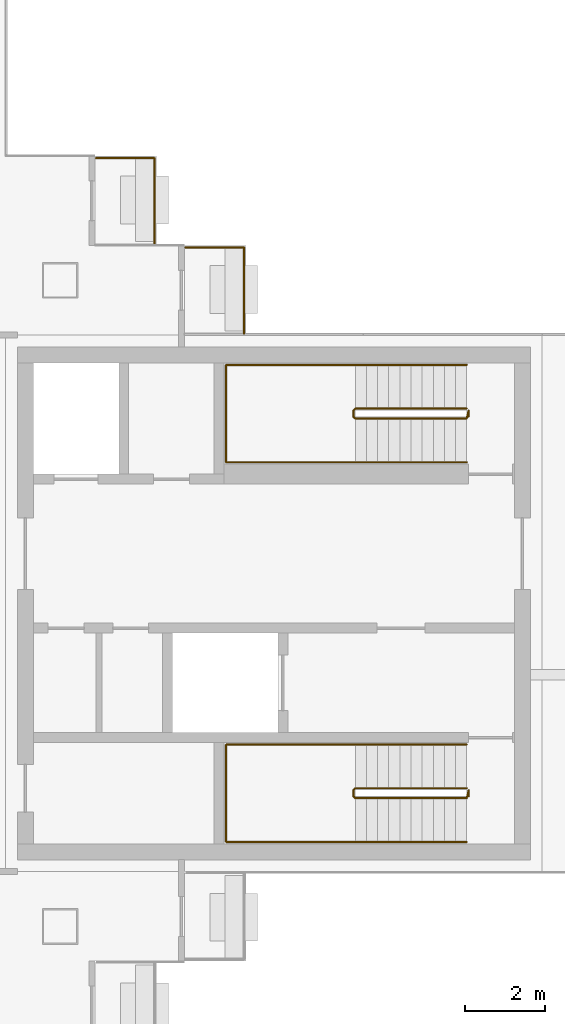
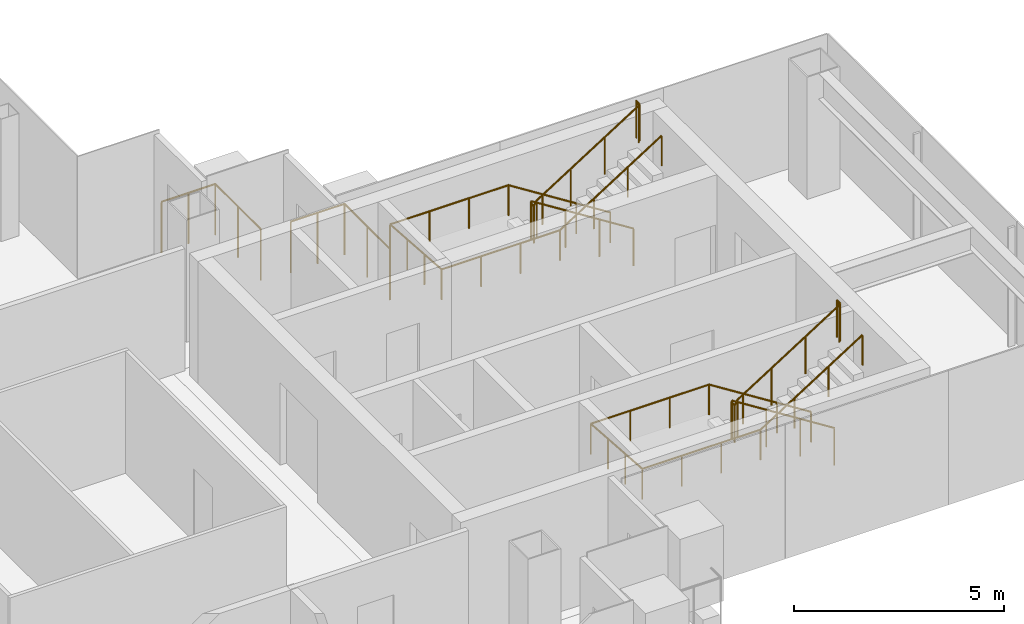
# One storey, part 15 of 16: 6 railings.
"""IFC4 building model written with IfcOpenShell, lengths in metres."""

from ifc_helpers import new_model, si_unit, direction, frame, origin, origin_2d, place, context, subcontext, project, spatial, circle, extrude, material, type_object, element, save


model = new_model("IFC4")

# Units and contexts
model_context = context("Model", 3, precision=1e-05, world=origin(), true_north=direction((0.0, 1.0)))
body_context = subcontext(model_context, "Body", "Model", "MODEL_VIEW")
ifc_project = project(units=[si_unit("LENGTHUNIT", "METRE"), si_unit("AREAUNIT", "SQUARE_METRE"), si_unit("VOLUMEUNIT", "CUBIC_METRE"), si_unit("PLANEANGLEUNIT", "RADIAN"), si_unit("MASSUNIT", "GRAM", prefix="KILO")], contexts=[model_context])

# Site, building, storey
site_placement = place(None, origin())
site = spatial("IfcSite", under=ifc_project, at=site_placement, CompositionType="ELEMENT")
building_placement = place(site_placement, origin())
building = spatial("IfcBuilding", under=site, at=building_placement, Name="Shamsa Quay Exchange Towers", CompositionType="ELEMENT")
storey_placement = place(building_placement, frame((0.0, 0.0, 246.0)))
storey = spatial("IfcBuildingStorey", under=building, at=storey_placement, Name="L59", CompositionType="ELEMENT", Elevation=246.0)

# Railings
ifc_material_1 = material(Name="Steel S355, black powder-coated", Category="steel")
railing_type_1 = type_object("IfcRailingType", Name="BALCONY GUARD 1500", PredefinedType="GUARDRAIL", material=ifc_material_1)
for number, where, name in (
    (1, (44.25, 9.0380859375, 0.0), "Balcony guard T2-PKES L59"),
    (2, (46.5, 6.7880859375, 0.0), "Balcony guard T2-PKES L59"),
):
    element("IfcRailing", number, at=place(storey_placement, frame(where)), inside=storey, type_object=railing_type_1, Name=name, PredefinedType="GUARDRAIL", context=body_context, shape_type="SweptSolid", body=[
        extrude(circle(Radius=0.02392578125, at=origin_2d()), frame((0.0, 0.0, 1.47607421875), z_axis=(0.0, 1.0, 0.0), x_axis=(-1.0, 0.0, 0.0)), (0.0, 0.0, 1.0), 2.161865234375),
        extrude(circle(Radius=0.02392578125, at=origin_2d()), frame((0.0, 2.161865234375, 1.47607421875), z_axis=(-1.0, 0.0, 0.0), x_axis=(0.0, -1.0, 0.0)), (0.0, 0.0, 1.0), 1.47900390625),
        extrude(circle(Radius=0.02099609375, at=origin_2d()), origin(), (0.0, 0.0, 1.0), 1.451904296875),
        extrude(circle(Radius=0.02099609375, at=origin_2d()), frame((0.0, 1.0810546875, 0.0)), (0.0, 0.0, 1.0), 1.451904296875),
        extrude(circle(Radius=0.02099609375, at=origin_2d()), frame((0.0, 2.161865234375, 0.0)), (0.0, 0.0, 1.0), 1.451904296875),
        extrude(circle(Radius=0.02099609375, at=origin_2d()), frame((-0.739501953125, 2.161865234375, 0.0)), (0.0, 0.0, 1.0), 1.451904296875),
        extrude(circle(Radius=0.02099609375, at=origin_2d()), frame((-1.47900390625, 2.161865234375, 0.0)), (0.0, 0.0, 1.0), 1.451904296875),
    ])
ifc_material_2 = material(Name="Stainless steel", Category="steel")
railing_type_2 = type_object("IfcRailingType", Name="STAIR GUARD 1100", PredefinedType="GUARDRAIL", material=ifc_material_2)
railing_1_placement = place(storey_placement, frame((52.10009765625, -4.64990234375, 0.17724609375)))
element("IfcRailing", 3, at=railing_1_placement, inside=storey, type_object=railing_type_2, Name="L59 ST5 stair guard 1", PredefinedType="GUARDRAIL", context=body_context, shape_type="SweptSolid", body=[
    extrude(circle(Radius=0.02392578125, at=origin_2d()), frame((0.0, 0.0, 1.076171875), z_axis=(-0.844908973607, 0.0, 0.534910110503), x_axis=(0.0, -1.0, 0.0)), (0.0, 0.0, 1.0), 3.31396484375),
    extrude(circle(Radius=0.02392578125, at=origin_2d()), frame((-2.800048828125, 0.0, 2.8486328125), z_axis=(-0.707106781187, -0.707106781187, 0.0), x_axis=(0.707106781187, -0.707106781187, 0.0)), (0.0, 0.0, 1.0), 0.07080078125),
    extrude(circle(Radius=0.02392578125, at=origin_2d()), frame((-2.85009765625, -0.050048828125, 2.8486328125), z_axis=(0.0, -1.0, 0.0), x_axis=(1.0, 0.0, 0.0)), (0.0, 0.0, 1.0), 0.150146484375),
    extrude(circle(Radius=0.02392578125, at=origin_2d()), frame((-2.85009765625, -0.2001953125, 2.8486328125), z_axis=(0.262321481514, -0.261041864531, 0.929001929653), x_axis=(0.705375805398, 0.708833529934, 0.0)), (0.0, 0.0, 1.0), 0.190673828125),
    extrude(circle(Radius=0.02392578125, at=origin_2d()), frame((-2.800048828125, -0.25, 3.02587890625), z_axis=(0.844908973607, 0.0, 0.534910110503), x_axis=(0.0, 1.0, 0.0)), (0.0, 0.0, 1.0), 3.31396484375),
    extrude(circle(Radius=0.02392578125, at=origin_2d()), frame((0.0, -0.25, 4.798828125), z_axis=(0.241699205484, 0.970351222016, 0.0), x_axis=(-0.970351222016, 0.241699205484, 0.0)), (0.0, 0.0, 1.0), 0.2060546875),
    extrude(circle(Radius=0.02392578125, at=origin_2d()), frame((0.0498046875, -0.050048828125, 4.798828125), z_axis=(0.0, -1.0, 0.0), x_axis=(1.0, 0.0, 0.0)), (0.0, 0.0, 1.0), 0.150146484375),
    extrude(circle(Radius=0.02099609375, at=origin_2d()), origin(), (0.0, 0.0, 1.0), 1.052001953125),
    extrude(circle(Radius=0.02099609375, at=origin_2d()), frame((-0.933349609375, 0.0, 0.5908203125)), (0.0, 0.0, 1.0), 1.052001953125),
    extrude(circle(Radius=0.02099609375, at=origin_2d()), frame((-1.86669921875, 0.0, 1.181884765625)), (0.0, 0.0, 1.0), 1.052001953125),
    extrude(circle(Radius=0.02099609375, at=origin_2d()), frame((-2.800048828125, 0.0, 1.772705078125)), (0.0, 0.0, 1.0), 1.052001953125),
    extrude(circle(Radius=0.02099609375, at=origin_2d()), frame((-2.85009765625, -0.050048828125, 1.772705078125)), (0.0, 0.0, 1.0), 1.052001953125),
    extrude(circle(Radius=0.02099609375, at=origin_2d()), frame((-2.85009765625, -0.2001953125, 1.772705078125)), (0.0, 0.0, 1.0), 1.052001953125),
    extrude(circle(Radius=0.02099609375, at=origin_2d()), frame((-2.800048828125, -0.25, 1.949951171875)), (0.0, 0.0, 1.0), 1.052001953125),
    extrude(circle(Radius=0.02099609375, at=origin_2d()), frame((-1.86669921875, -0.25, 2.540771484375)), (0.0, 0.0, 1.0), 1.052001953125),
    extrude(circle(Radius=0.02099609375, at=origin_2d()), frame((-0.933349609375, -0.25, 3.1318359375)), (0.0, 0.0, 1.0), 1.052001953125),
    extrude(circle(Radius=0.02099609375, at=origin_2d()), frame((0.0, -0.25, 3.72265625)), (0.0, 0.0, 1.0), 1.052001953125),
    extrude(circle(Radius=0.02099609375, at=origin_2d()), frame((0.0498046875, -0.050048828125, 3.72265625)), (0.0, 0.0, 1.0), 1.052001953125),
    extrude(circle(Radius=0.02099609375, at=origin_2d()), frame((0.0498046875, -0.2001953125, 3.72265625)), (0.0, 0.0, 1.0), 1.052001953125),
])
railing_2_placement = place(storey_placement, frame((52.10009765625, 4.89990234375, 0.17724609375)))
element("IfcRailing", 4, at=railing_2_placement, inside=storey, type_object=railing_type_2, Name="L59 ST6 stair guard 1", PredefinedType="GUARDRAIL", context=body_context, shape_type="SweptSolid", body=[
    extrude(circle(Radius=0.02392578125, at=origin_2d()), frame((0.0, 0.0, 1.076171875), z_axis=(-0.844908973607, 0.0, 0.534910110503), x_axis=(0.0, -1.0, 0.0)), (0.0, 0.0, 1.0), 3.31396484375),
    extrude(circle(Radius=0.02392578125, at=origin_2d()), frame((-2.800048828125, 0.0, 2.8486328125), z_axis=(-0.708833529934, -0.705375805398, 0.0), x_axis=(0.705375805398, -0.708833529934, 0.0)), (0.0, 0.0, 1.0), 0.070556640625),
    extrude(circle(Radius=0.02392578125, at=origin_2d()), frame((-2.85009765625, -0.0498046875, 2.8486328125), z_axis=(0.0, -1.0, 0.0), x_axis=(1.0, 0.0, 0.0)), (0.0, 0.0, 1.0), 0.150146484375),
    extrude(circle(Radius=0.02392578125, at=origin_2d()), frame((-2.85009765625, -0.199951171875, 2.8486328125), z_axis=(0.262233686654, -0.262233686654, 0.928691007369), x_axis=(0.707106781187, 0.707106781187, 0.0)), (0.0, 0.0, 1.0), 0.19091796875),
    extrude(circle(Radius=0.02392578125, at=origin_2d()), frame((-2.800048828125, -0.25, 3.02587890625), z_axis=(0.844908973607, 0.0, 0.534910110503), x_axis=(0.0, 1.0, 0.0)), (0.0, 0.0, 1.0), 3.31396484375),
    extrude(circle(Radius=0.02392578125, at=origin_2d()), frame((0.0, -0.25, 4.798828125), z_axis=(0.24142163986, 0.970420317083, 0.0), x_axis=(-0.970420317083, 0.24142163986, 0.0)), (0.0, 0.0, 1.0), 0.206298828125),
    extrude(circle(Radius=0.02392578125, at=origin_2d()), frame((0.0498046875, -0.0498046875, 4.798828125), z_axis=(0.0, -1.0, 0.0), x_axis=(1.0, 0.0, 0.0)), (0.0, 0.0, 1.0), 0.150146484375),
    extrude(circle(Radius=0.02099609375, at=origin_2d()), origin(), (0.0, 0.0, 1.0), 1.052001953125),
    extrude(circle(Radius=0.02099609375, at=origin_2d()), frame((-0.933349609375, 0.0, 0.5908203125)), (0.0, 0.0, 1.0), 1.052001953125),
    extrude(circle(Radius=0.02099609375, at=origin_2d()), frame((-1.86669921875, 0.0, 1.181884765625)), (0.0, 0.0, 1.0), 1.052001953125),
    extrude(circle(Radius=0.02099609375, at=origin_2d()), frame((-2.800048828125, 0.0, 1.772705078125)), (0.0, 0.0, 1.0), 1.052001953125),
    extrude(circle(Radius=0.02099609375, at=origin_2d()), frame((-2.85009765625, -0.0498046875, 1.772705078125)), (0.0, 0.0, 1.0), 1.052001953125),
    extrude(circle(Radius=0.02099609375, at=origin_2d()), frame((-2.85009765625, -0.199951171875, 1.772705078125)), (0.0, 0.0, 1.0), 1.052001953125),
    extrude(circle(Radius=0.02099609375, at=origin_2d()), frame((-2.800048828125, -0.25, 1.949951171875)), (0.0, 0.0, 1.0), 1.052001953125),
    extrude(circle(Radius=0.02099609375, at=origin_2d()), frame((-1.86669921875, -0.25, 2.540771484375)), (0.0, 0.0, 1.0), 1.052001953125),
    extrude(circle(Radius=0.02099609375, at=origin_2d()), frame((-0.933349609375, -0.25, 3.1318359375)), (0.0, 0.0, 1.0), 1.052001953125),
    extrude(circle(Radius=0.02099609375, at=origin_2d()), frame((0.0, -0.25, 3.72265625)), (0.0, 0.0, 1.0), 1.052001953125),
    extrude(circle(Radius=0.02099609375, at=origin_2d()), frame((0.0498046875, -0.0498046875, 3.72265625)), (0.0, 0.0, 1.0), 1.052001953125),
    extrude(circle(Radius=0.02099609375, at=origin_2d()), frame((0.0498046875, -0.199951171875, 3.72265625)), (0.0, 0.0, 1.0), 1.052001953125),
])
railing_type_3 = type_object("IfcRailingType", Name="STAIR HANDRAIL 900", PredefinedType="HANDRAIL", material=ifc_material_2)
railing_3_placement = place(storey_placement, frame((52.10009765625, -3.550048828125, 0.17724609375)))
element("IfcRailing", 5, at=railing_3_placement, inside=storey, type_object=railing_type_3, Name="L59 ST5 stair handrail 1", PredefinedType="HANDRAIL", context=body_context, shape_type="SweptSolid", body=[
    extrude(circle(Radius=0.02392578125, at=origin_2d()), frame((0.0, 0.0, 0.8759765625), z_axis=(-0.844908973607, 0.0, 0.534910110503), x_axis=(0.0, -1.0, 0.0)), (0.0, 0.0, 1.0), 3.31396484375),
    extrude(circle(Radius=0.02392578125, at=origin_2d()), frame((-2.800048828125, 0.0, 2.6484375), z_axis=(-1.0, 0.0, 0.0), x_axis=(0.0, -1.0, 0.0)), (0.0, 0.0, 1.0), 3.25),
    extrude(circle(Radius=0.02392578125, at=origin_2d()), frame((-6.050048828125, 0.0, 2.6484375), z_axis=(0.0, -0.997393199914, 0.07215819264), x_axis=(1.0, 0.0, 0.0)), (0.0, 0.0, 1.0), 2.456298828125),
    extrude(circle(Radius=0.02392578125, at=origin_2d()), frame((-6.050048828125, -2.449951171875, 2.82568359375), z_axis=(1.0, 0.0, 0.0), x_axis=(0.0, 1.0, 0.0)), (0.0, 0.0, 1.0), 3.25),
    extrude(circle(Radius=0.02392578125, at=origin_2d()), frame((-2.800048828125, -2.449951171875, 2.82568359375), z_axis=(0.844908973607, 0.0, 0.534910110503), x_axis=(0.0, 1.0, 0.0)), (0.0, 0.0, 1.0), 3.31396484375),
    extrude(circle(Radius=0.02099609375, at=origin_2d()), origin(), (0.0, 0.0, 1.0), 0.851806640625),
    extrude(circle(Radius=0.02099609375, at=origin_2d()), frame((-0.933349609375, 0.0, 0.5908203125)), (0.0, 0.0, 1.0), 0.851806640625),
    extrude(circle(Radius=0.02099609375, at=origin_2d()), frame((-1.86669921875, 0.0, 1.181884765625)), (0.0, 0.0, 1.0), 0.851806640625),
    extrude(circle(Radius=0.02099609375, at=origin_2d()), frame((-2.800048828125, 0.0, 1.772705078125)), (0.0, 0.0, 1.0), 0.851806640625),
    extrude(circle(Radius=0.02099609375, at=origin_2d()), frame((-3.88330078125, 0.0, 1.772705078125)), (0.0, 0.0, 1.0), 0.851806640625),
    extrude(circle(Radius=0.02099609375, at=origin_2d()), frame((-4.966796875, 0.0, 1.772705078125)), (0.0, 0.0, 1.0), 0.851806640625),
    extrude(circle(Radius=0.02099609375, at=origin_2d()), frame((-6.050048828125, 0.0, 1.772705078125)), (0.0, 0.0, 1.0), 0.851806640625),
    extrude(circle(Radius=0.02099609375, at=origin_2d()), frame((-6.050048828125, -0.816650390625, 1.831787109375)), (0.0, 0.0, 1.0), 0.851806640625),
    extrude(circle(Radius=0.02099609375, at=origin_2d()), frame((-6.050048828125, -1.63330078125, 1.890869140625)), (0.0, 0.0, 1.0), 0.851806640625),
    extrude(circle(Radius=0.02099609375, at=origin_2d()), frame((-6.050048828125, -2.449951171875, 1.949951171875)), (0.0, 0.0, 1.0), 0.851806640625),
    extrude(circle(Radius=0.02099609375, at=origin_2d()), frame((-4.966796875, -2.449951171875, 1.949951171875)), (0.0, 0.0, 1.0), 0.851806640625),
    extrude(circle(Radius=0.02099609375, at=origin_2d()), frame((-3.88330078125, -2.449951171875, 1.949951171875)), (0.0, 0.0, 1.0), 0.851806640625),
    extrude(circle(Radius=0.02099609375, at=origin_2d()), frame((-2.800048828125, -2.449951171875, 1.949951171875)), (0.0, 0.0, 1.0), 0.851806640625),
    extrude(circle(Radius=0.02099609375, at=origin_2d()), frame((-1.86669921875, -2.449951171875, 2.540771484375)), (0.0, 0.0, 1.0), 0.851806640625),
    extrude(circle(Radius=0.02099609375, at=origin_2d()), frame((-0.933349609375, -2.449951171875, 3.1318359375)), (0.0, 0.0, 1.0), 0.851806640625),
    extrude(circle(Radius=0.02099609375, at=origin_2d()), frame((0.0, -2.449951171875, 3.72265625)), (0.0, 0.0, 1.0), 0.851806640625),
])
railing_4_placement = place(storey_placement, frame((52.10009765625, 6.0, 0.17724609375)))
element("IfcRailing", 6, at=railing_4_placement, inside=storey, type_object=railing_type_3, Name="L59 ST6 stair handrail 1", PredefinedType="HANDRAIL", context=body_context, shape_type="SweptSolid", body=[
    extrude(circle(Radius=0.02392578125, at=origin_2d()), frame((0.0, 0.0, 0.8759765625), z_axis=(-0.844908973607, 0.0, 0.534910110503), x_axis=(0.0, -1.0, 0.0)), (0.0, 0.0, 1.0), 3.31396484375),
    extrude(circle(Radius=0.02392578125, at=origin_2d()), frame((-2.800048828125, 0.0, 2.6484375), z_axis=(-1.0, 0.0, 0.0), x_axis=(0.0, -1.0, 0.0)), (0.0, 0.0, 1.0), 3.25),
    extrude(circle(Radius=0.02392578125, at=origin_2d()), frame((-6.050048828125, 0.0, 2.6484375), z_axis=(0.0, -0.997393199914, 0.07215819264), x_axis=(1.0, 0.0, 0.0)), (0.0, 0.0, 1.0), 2.456298828125),
    extrude(circle(Radius=0.02392578125, at=origin_2d()), frame((-6.050048828125, -2.449951171875, 2.82568359375), z_axis=(1.0, 0.0, 0.0), x_axis=(0.0, 1.0, 0.0)), (0.0, 0.0, 1.0), 3.25),
    extrude(circle(Radius=0.02392578125, at=origin_2d()), frame((-2.800048828125, -2.449951171875, 2.82568359375), z_axis=(0.844908973607, 0.0, 0.534910110503), x_axis=(0.0, 1.0, 0.0)), (0.0, 0.0, 1.0), 3.31396484375),
    extrude(circle(Radius=0.02099609375, at=origin_2d()), origin(), (0.0, 0.0, 1.0), 0.851806640625),
    extrude(circle(Radius=0.02099609375, at=origin_2d()), frame((-0.933349609375, 0.0, 0.5908203125)), (0.0, 0.0, 1.0), 0.851806640625),
    extrude(circle(Radius=0.02099609375, at=origin_2d()), frame((-1.86669921875, 0.0, 1.181884765625)), (0.0, 0.0, 1.0), 0.851806640625),
    extrude(circle(Radius=0.02099609375, at=origin_2d()), frame((-2.800048828125, 0.0, 1.772705078125)), (0.0, 0.0, 1.0), 0.851806640625),
    extrude(circle(Radius=0.02099609375, at=origin_2d()), frame((-3.88330078125, 0.0, 1.772705078125)), (0.0, 0.0, 1.0), 0.851806640625),
    extrude(circle(Radius=0.02099609375, at=origin_2d()), frame((-4.966796875, 0.0, 1.772705078125)), (0.0, 0.0, 1.0), 0.851806640625),
    extrude(circle(Radius=0.02099609375, at=origin_2d()), frame((-6.050048828125, 0.0, 1.772705078125)), (0.0, 0.0, 1.0), 0.851806640625),
    extrude(circle(Radius=0.02099609375, at=origin_2d()), frame((-6.050048828125, -0.816650390625, 1.831787109375)), (0.0, 0.0, 1.0), 0.851806640625),
    extrude(circle(Radius=0.02099609375, at=origin_2d()), frame((-6.050048828125, -1.63330078125, 1.890869140625)), (0.0, 0.0, 1.0), 0.851806640625),
    extrude(circle(Radius=0.02099609375, at=origin_2d()), frame((-6.050048828125, -2.449951171875, 1.949951171875)), (0.0, 0.0, 1.0), 0.851806640625),
    extrude(circle(Radius=0.02099609375, at=origin_2d()), frame((-4.966796875, -2.449951171875, 1.949951171875)), (0.0, 0.0, 1.0), 0.851806640625),
    extrude(circle(Radius=0.02099609375, at=origin_2d()), frame((-3.88330078125, -2.449951171875, 1.949951171875)), (0.0, 0.0, 1.0), 0.851806640625),
    extrude(circle(Radius=0.02099609375, at=origin_2d()), frame((-2.800048828125, -2.449951171875, 1.949951171875)), (0.0, 0.0, 1.0), 0.851806640625),
    extrude(circle(Radius=0.02099609375, at=origin_2d()), frame((-1.86669921875, -2.449951171875, 2.540771484375)), (0.0, 0.0, 1.0), 0.851806640625),
    extrude(circle(Radius=0.02099609375, at=origin_2d()), frame((-0.933349609375, -2.449951171875, 3.1318359375)), (0.0, 0.0, 1.0), 0.851806640625),
    extrude(circle(Radius=0.02099609375, at=origin_2d()), frame((0.0, -2.449951171875, 3.72265625)), (0.0, 0.0, 1.0), 0.851806640625),
])

save(model, "model.ifc")
